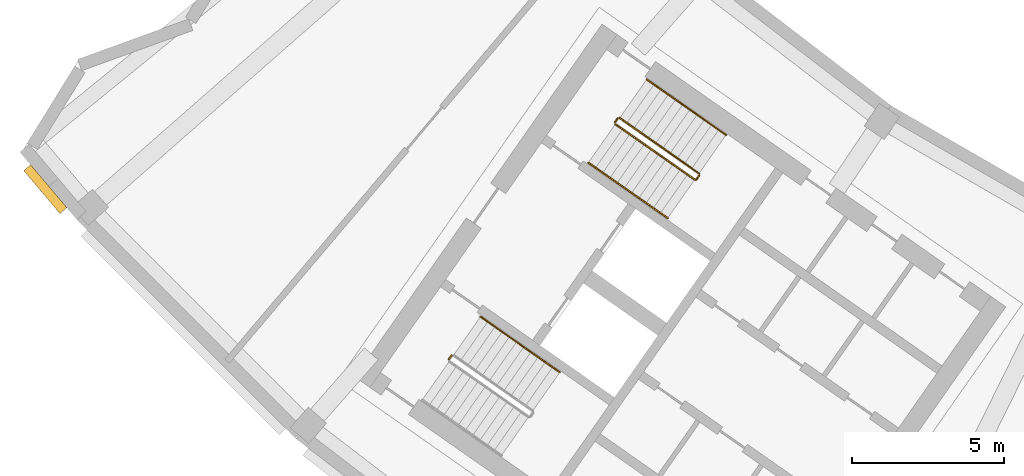
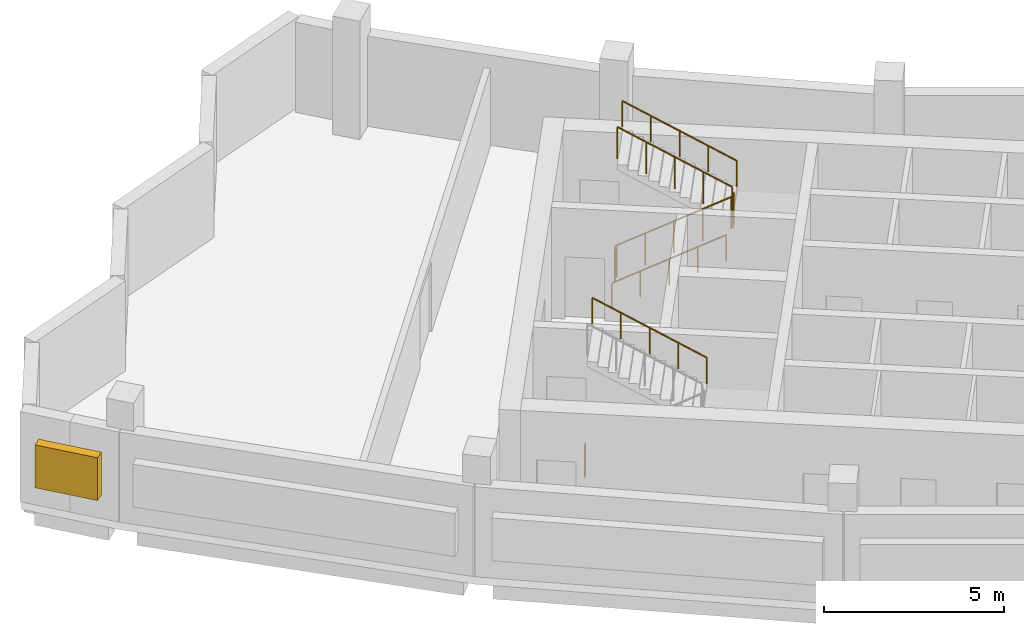
# One storey, part 9 of 11: 7 railings, 1 shading device.
"""IFC4 building model written with IfcOpenShell, lengths in metres."""

from ifc_helpers import new_model, si_unit, direction, frame, origin, origin_2d, place, context, subcontext, project, spatial, rectangle, circle, extrude, material, type_object, element, save


model = new_model("IFC4")

# Units and contexts
model_context = context("Model", 3, precision=1e-05, world=origin(), true_north=direction((0.0, 1.0)))
body_context = subcontext(model_context, "Body", "Model", "MODEL_VIEW")
ifc_project = project(units=[si_unit("LENGTHUNIT", "METRE"), si_unit("AREAUNIT", "SQUARE_METRE"), si_unit("VOLUMEUNIT", "CUBIC_METRE"), si_unit("PLANEANGLEUNIT", "RADIAN"), si_unit("MASSUNIT", "GRAM", prefix="KILO")], contexts=[model_context])

# Site, building, storey
site_placement = place(None, origin())
site = spatial("IfcSite", under=ifc_project, at=site_placement, CompositionType="ELEMENT")
building_placement = place(site_placement, origin())
building = spatial("IfcBuilding", under=site, at=building_placement, Name="Qamariyya Broadcast Tower", CompositionType="ELEMENT")
storey_placement = place(building_placement, frame((0.0, 0.0, 302.699951171875)))
storey = spatial("IfcBuildingStorey", under=building, at=storey_placement, Name="L73", CompositionType="ELEMENT", Elevation=302.699951171875)

# Railings
ifc_material_1 = material(Name="Painted steel", Category="steel")
railing_type_1 = type_object("IfcRailingType", Name="Stair guard", PredefinedType="GUARDRAIL", material=ifc_material_1)
railing_1_placement = place(storey_placement, frame((-41.146728515625, -48.52490234375, 0.166748046875)))
element("IfcRailing", 1, at=railing_1_placement, inside=storey, type_object=railing_type_1, Name="L73 ST-W2 stair guard 1", PredefinedType="GUARDRAIL", context=body_context, shape_type="SweptSolid", body=[
    extrude(circle(Radius=0.02392578125, at=origin_2d()), frame((0.0, 0.0, 1.076171875), z_axis=(0.710227693972, -0.497285465629, 0.498280832854), x_axis=(0.573559936391, 0.819163597438, 0.0)), (0.0, 0.0, 1.0), 3.67919921875),
    extrude(circle(Radius=0.02392578125, at=origin_2d()), frame((2.613037109375, -1.82958984375, 2.9091796875), z_axis=(0.985059694769, 0.172213233351, 0.0), x_axis=(-0.172213233351, 0.985059694769, 0.0)), (0.0, 0.0, 1.0), 0.07080078125),
    extrude(circle(Radius=0.02392578125, at=origin_2d()), frame((2.682861328125, -1.8173828125, 2.9091796875), z_axis=(0.573353020881, 0.819308436089, 0.0), x_axis=(-0.819308436089, 0.573353020881, 0.0)), (0.0, 0.0, 1.0), 0.14990234375),
    extrude(circle(Radius=0.02099609375, at=origin_2d()), origin(), (0.0, 0.0, 1.0), 1.052001953125),
    extrude(circle(Radius=0.02099609375, at=origin_2d()), frame((0.6533203125, -0.45751953125, 0.458251953125)), (0.0, 0.0, 1.0), 1.052001953125),
    extrude(circle(Radius=0.02099609375, at=origin_2d()), frame((1.306640625, -0.914794921875, 0.91650390625)), (0.0, 0.0, 1.0), 1.052001953125),
    extrude(circle(Radius=0.02099609375, at=origin_2d()), frame((1.959716796875, -1.3720703125, 1.375)), (0.0, 0.0, 1.0), 1.052001953125),
    extrude(circle(Radius=0.02099609375, at=origin_2d()), frame((2.613037109375, -1.82958984375, 1.833251953125)), (0.0, 0.0, 1.0), 1.052001953125),
    extrude(circle(Radius=0.02099609375, at=origin_2d()), frame((2.682861328125, -1.8173828125, 1.833251953125)), (0.0, 0.0, 1.0), 1.052001953125),
    extrude(circle(Radius=0.02099609375, at=origin_2d()), frame((2.768798828125, -1.694580078125, 1.833251953125)), (0.0, 0.0, 1.0), 1.052001953125),
])
railing_2_placement = place(storey_placement, frame((-38.39013671875, -50.14990234375, 2.166748046875)))
element("IfcRailing", 2, at=railing_2_placement, inside=storey, type_object=railing_type_1, Name="L73 ST-W2 stair guard 2", PredefinedType="GUARDRAIL", context=body_context, shape_type="SweptSolid", body=[
    extrude(circle(Radius=0.02392578125, at=origin_2d()), frame((0.0, 0.0, 1.076171875), z_axis=(-0.710204256923, 0.497335411159, 0.498264389913), x_axis=(-0.573611290809, -0.819127637829, 0.0)), (0.0, 0.0, 1.0), 3.67919921875),
    extrude(circle(Radius=0.02099609375, at=origin_2d()), origin(), (0.0, 0.0, 1.0), 1.052001953125),
    extrude(circle(Radius=0.02099609375, at=origin_2d()), frame((-0.6533203125, 0.45751953125, 0.458251953125)), (0.0, 0.0, 1.0), 1.052001953125),
    extrude(circle(Radius=0.02099609375, at=origin_2d()), frame((-1.306640625, 0.9150390625, 0.91650390625)), (0.0, 0.0, 1.0), 1.052001953125),
    extrude(circle(Radius=0.02099609375, at=origin_2d()), frame((-1.959716796875, 1.372314453125, 1.375)), (0.0, 0.0, 1.0), 1.052001953125),
    extrude(circle(Radius=0.02099609375, at=origin_2d()), frame((-2.613037109375, 1.829833984375, 1.833251953125)), (0.0, 0.0, 1.0), 1.052001953125),
])
railing_3_placement = place(storey_placement, frame((-41.158935546875, -48.455322265625, 0.0)))
element("IfcRailing", 3, at=railing_3_placement, inside=storey, type_object=railing_type_1, Name="L73 ST-W2 stair guard 3", PredefinedType="GUARDRAIL", context=body_context, shape_type="SweptSolid", body=[
    extrude(circle(Radius=0.02392578125, at=origin_2d()), frame((0.0, 0.0, 1.076171875), z_axis=(0.572588637393, 0.819842821722, 0.0), x_axis=(-0.819842821722, 0.572588637393, 0.0)), (0.0, 0.0, 1.0), 0.150146484375),
    extrude(circle(Radius=0.02099609375, at=origin_2d()), origin(), (0.0, 0.0, 1.0), 1.052001953125),
    extrude(circle(Radius=0.02099609375, at=origin_2d()), frame((0.0859375, 0.123046875, 0.0)), (0.0, 0.0, 1.0), 1.052001953125),
])
railing_4_placement = place(storey_placement, frame((-46.63671875, -56.278076171875, 0.0)))
element("IfcRailing", 4, at=railing_4_placement, inside=storey, type_object=railing_type_1, Name="L73 ST-W1 stair guard 3", PredefinedType="GUARDRAIL", context=body_context, shape_type="SweptSolid", body=[
    extrude(circle(Radius=0.02392578125, at=origin_2d()), frame((0.0, 0.0, 1.076171875), z_axis=(0.574444878118, 0.818543268254, 0.0), x_axis=(-0.818543268254, 0.574444878118, 0.0)), (0.0, 0.0, 1.0), 0.150146484375),
    extrude(circle(Radius=0.02099609375, at=origin_2d()), origin(), (0.0, 0.0, 1.0), 1.052001953125),
    extrude(circle(Radius=0.02099609375, at=origin_2d()), frame((0.086181640625, 0.122802734375, 0.0)), (0.0, 0.0, 1.0), 1.052001953125),
])
ifc_material_2 = material(Name="Stainless steel", Category="steel")
railing_type_2 = type_object("IfcRailingType", Name="Stair handrail", PredefinedType="HANDRAIL", material=ifc_material_2)
railing_5_placement = place(storey_placement, frame((-42.03564453125, -49.79443359375, 0.166748046875)))
element("IfcRailing", 5, at=railing_5_placement, inside=storey, type_object=railing_type_2, Name="L73 ST-W2 stair handrail 1", PredefinedType="HANDRAIL", context=body_context, shape_type="SweptSolid", body=[
    extrude(circle(Radius=0.02392578125, at=origin_2d()), frame((0.0, 0.0, 0.8759765625), z_axis=(0.710204256923, -0.497335411159, 0.498264389913), x_axis=(0.573611290809, 0.819127637829, 0.0)), (0.0, 0.0, 1.0), 3.67919921875),
    extrude(circle(Radius=0.02099609375, at=origin_2d()), origin(), (0.0, 0.0, 1.0), 0.851806640625),
    extrude(circle(Radius=0.02099609375, at=origin_2d()), frame((0.6533203125, -0.45751953125, 0.458251953125)), (0.0, 0.0, 1.0), 0.851806640625),
    extrude(circle(Radius=0.02099609375, at=origin_2d()), frame((1.306640625, -0.9150390625, 0.91650390625)), (0.0, 0.0, 1.0), 0.851806640625),
    extrude(circle(Radius=0.02099609375, at=origin_2d()), frame((1.959716796875, -1.372314453125, 1.375)), (0.0, 0.0, 1.0), 0.851806640625),
    extrude(circle(Radius=0.02099609375, at=origin_2d()), frame((2.613037109375, -1.829833984375, 1.833251953125)), (0.0, 0.0, 1.0), 0.851806640625),
])
railing_6_placement = place(storey_placement, frame((-37.501220703125, -48.880126953125, 2.166748046875)))
element("IfcRailing", 6, at=railing_6_placement, inside=storey, type_object=railing_type_2, Name="L73 ST-W2 stair handrail 2", PredefinedType="HANDRAIL", context=body_context, shape_type="SweptSolid", body=[
    extrude(circle(Radius=0.02392578125, at=origin_2d()), frame((0.0, 0.0, 0.8759765625), z_axis=(-0.710204256923, 0.497335411159, 0.498264389913), x_axis=(-0.573611290809, -0.819127637829, 0.0)), (0.0, 0.0, 1.0), 3.67919921875),
    extrude(circle(Radius=0.02099609375, at=origin_2d()), origin(), (0.0, 0.0, 1.0), 0.851806640625),
    extrude(circle(Radius=0.02099609375, at=origin_2d()), frame((-0.6533203125, 0.45751953125, 0.458251953125)), (0.0, 0.0, 1.0), 0.851806640625),
    extrude(circle(Radius=0.02099609375, at=origin_2d()), frame((-1.306640625, 0.9150390625, 0.91650390625)), (0.0, 0.0, 1.0), 0.851806640625),
    extrude(circle(Radius=0.02099609375, at=origin_2d()), frame((-1.959716796875, 1.372314453125, 1.375)), (0.0, 0.0, 1.0), 0.851806640625),
    extrude(circle(Radius=0.02099609375, at=origin_2d()), frame((-2.613037109375, 1.829833984375, 1.833251953125)), (0.0, 0.0, 1.0), 0.851806640625),
])
railing_7_placement = place(storey_placement, frame((-42.978759765625, -56.702880859375, 2.166748046875)))
element("IfcRailing", 7, at=railing_7_placement, inside=storey, type_object=railing_type_2, Name="L73 ST-W1 stair handrail 2", PredefinedType="HANDRAIL", context=body_context, shape_type="SweptSolid", body=[
    extrude(circle(Radius=0.02392578125, at=origin_2d()), frame((0.0, 0.0, 0.8759765625), z_axis=(-0.710227693972, 0.497285465629, 0.498280832854), x_axis=(-0.573559936391, -0.819163597438, 0.0)), (0.0, 0.0, 1.0), 3.67919921875),
    extrude(circle(Radius=0.02099609375, at=origin_2d()), origin(), (0.0, 0.0, 1.0), 0.851806640625),
    extrude(circle(Radius=0.02099609375, at=origin_2d()), frame((-0.6533203125, 0.45751953125, 0.458251953125)), (0.0, 0.0, 1.0), 0.851806640625),
    extrude(circle(Radius=0.02099609375, at=origin_2d()), frame((-1.306640625, 0.914794921875, 0.91650390625)), (0.0, 0.0, 1.0), 0.851806640625),
    extrude(circle(Radius=0.02099609375, at=origin_2d()), frame((-1.959716796875, 1.3720703125, 1.375)), (0.0, 0.0, 1.0), 0.851806640625),
    extrude(circle(Radius=0.02099609375, at=origin_2d()), frame((-2.613037109375, 1.82958984375, 1.833251953125)), (0.0, 0.0, 1.0), 0.851806640625),
])

# Shading device
ifc_material_3 = material(Name="Glazed terracotta", Category="masonry")
shading_device_type = type_object("IfcShadingDeviceType", Name="Terracotta louvre bank", PredefinedType="USERDEFINED", material=ifc_material_3)
shading_device_placement = place(storey_placement, frame((-59.94140625, -50.66796875, 0.80029296875), z_axis=(0.0, 0.0, 1.0), x_axis=(0.645559567332, -0.763709922042, 0.0)))
element("IfcShadingDevice", 8, at=shading_device_placement, inside=storey, type_object=shading_device_type, Name="e-lv-L73-00", ObjectType="LOUVRE", PredefinedType="USERDEFINED", context=body_context, shape_type="SweptSolid", body=[
    extrude(rectangle(XDim=1.8505859375, YDim=0.300048828125, at=origin_2d()), origin(), (0.0, 0.0, 1.0), 1.449951171875),
])

save(model, "model.ifc")
